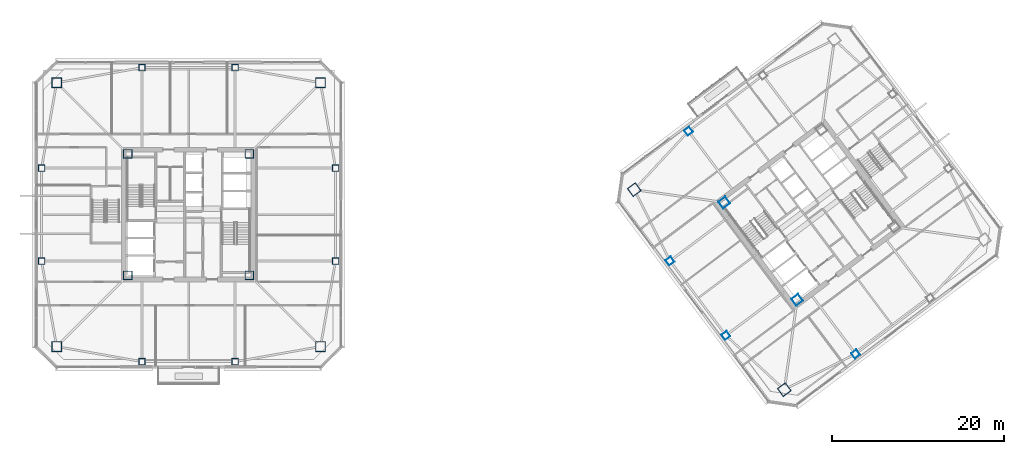
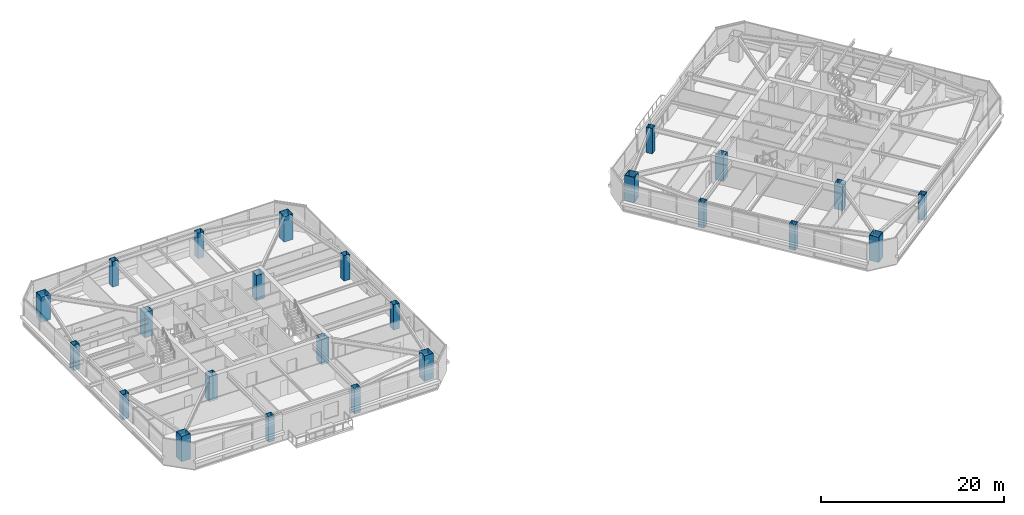
# One storey, part 1 of 44: 24 columns.
"""IFC4 building model written with IfcOpenShell, lengths in metres."""

import ifcopenshell
import ifcopenshell.guid

model = None  # the IFC model being written
_history = None  # IfcOwnerHistory: only IFC2X3 demands one
_inside = {}  # id of a spatial element -> (the spatial element, [elements in it])
_under = {}  # id of a project, library or spatial element -> (it, [spatial elements below it])
_declared = {}  # id of a project -> (the project, [libraries it declares])
_typed = {}  # id of a type object -> (the type object, [elements of that type])
_made_of = {}  # id of a material, layer set ... -> (it, [elements and type objects made of it])


def new_model(schema):
    """Start an empty IFC model of exactly this schema.

    Asked for "IFC4X3", IfcOpenShell would pick the latest addendum, in which some entities
    have other attributes; the version numbers below select the first issue.
    IFC2X3 requires an IfcOwnerHistory on every rooted entity: one is made here for all.
    """
    global model, _history
    if schema == "IFC4X3":
        model = ifcopenshell.file(schema_version=(4, 3, 0, 0))
    else:
        model = ifcopenshell.file(schema=schema)
    _inside.clear()
    _under.clear()
    _declared.clear()
    _typed.clear()
    _made_of.clear()
    _history = None
    if model.schema == "IFC2X3":
        org = make("IfcOrganization", Name="unknown")
        user = make(
            "IfcPersonAndOrganization",
            ThePerson=make("IfcPerson", FamilyName="unknown"),
            TheOrganization=org,
        )
        app = make(
            "IfcApplication",
            ApplicationDeveloper=org,
            Version="unknown",
            ApplicationFullName="unknown",
            ApplicationIdentifier="unknown",
        )
        _history = make(
            "IfcOwnerHistory",
            OwningUser=user,
            OwningApplication=app,
            ChangeAction="ADDED",
            CreationDate=0,
        )
    return model


def make(cls, **values):
    """One entity of the class cls with the attributes given. An attribute that is None is left unset."""
    return model.create_entity(
        cls, **{name: value for name, value in values.items() if value is not None}
    )


def rooted(cls, **values):
    """An entity with a GlobalId (a new one), such as an element, a storey or a relation."""
    return make(cls, GlobalId=ifcopenshell.guid.new(), OwnerHistory=_history, **values)


def si_unit(unit_type, name, prefix=None):
    """IfcSIUnit, for example si_unit("LENGTHUNIT", "METRE", prefix="MILLI")."""
    return make("IfcSIUnit", UnitType=unit_type, Prefix=prefix, Name=name)


def assignment(units):
    """IfcUnitAssignment: the units of a project."""
    return None if units is None else make("IfcUnitAssignment", Units=units)


def point(xyz):
    """IfcCartesianPoint."""
    return None if xyz is None else make("IfcCartesianPoint", Coordinates=xyz)


def direction(xyz):
    """IfcDirection."""
    return None if xyz is None else make("IfcDirection", DirectionRatios=xyz)


def frame(location, z_axis=None, x_axis=None):
    """IfcAxis2Placement3D, a coordinate frame: its origin and axes. An axis left out is left unset."""
    return make(
        "IfcAxis2Placement3D",
        Location=point(location),
        Axis=direction(z_axis),
        RefDirection=direction(x_axis),
    )


def frame_2d(location, x_axis=None):
    """IfcAxis2Placement2D, a coordinate frame in the plane: its origin and x axis."""
    return make(
        "IfcAxis2Placement2D", Location=point(location), RefDirection=direction(x_axis)
    )


def origin():
    """The frame at (0, 0, 0) with its axes left unset."""
    return frame((0.0, 0.0, 0.0))


def origin_2d():
    """The frame at (0, 0) in the plane with its x axis left unset."""
    return frame_2d((0.0, 0.0))


def place(relative_to, where):
    """IfcLocalPlacement: puts the frame where relative to a parent placement (None: the world)."""
    return make(
        "IfcLocalPlacement", PlacementRelTo=relative_to, RelativePlacement=where
    )


def context(
    kind, dimensions, precision=None, world=None, true_north=None, identifier=None
):
    """IfcGeometricRepresentationContext, for example the 3D "Model" context."""
    return make(
        "IfcGeometricRepresentationContext",
        ContextIdentifier=identifier,
        ContextType=kind,
        CoordinateSpaceDimension=dimensions,
        Precision=precision,
        WorldCoordinateSystem=world,
        TrueNorth=true_north,
    )


def subcontext(parent, identifier, kind, view, scale=None):
    """IfcGeometricRepresentationSubContext, for example "Body" below "Model"."""
    return make(
        "IfcGeometricRepresentationSubContext",
        ContextIdentifier=identifier,
        ContextType=kind,
        ParentContext=parent,
        TargetScale=scale,
        TargetView=view,
    )


def project(units=None, contexts=None):
    """IfcProject with its units and contexts."""
    return rooted(
        "IfcProject",
        Name="project",
        RepresentationContexts=contexts,
        UnitsInContext=assignment(units),
    )


def spatial(cls, under=None, at=None, **own):
    """A site, building, storey or space (cls), placed at a placement, below another one or the project."""
    s = rooted(cls, ObjectPlacement=at, **own)
    if under is not None:
        _under.setdefault(under.id(), (under, []))[1].append(s)
    return s


def profile(cls, at=None, kind="AREA", **sizes):
    """A parametric profile (cls). Its sizes go by their IFC names, for example OverallWidth=200.0."""
    return make(cls, ProfileType=kind, Position=at, **sizes)


def hollow_rectangle(**sizes):
    """IfcRectangleHollowProfileDef."""
    return profile("IfcRectangleHollowProfileDef", **sizes)


def extrude(swept, where, along, depth):
    """IfcExtrudedAreaSolid: the profile swept, set in the frame where, extruded along a direction by depth."""
    return make(
        "IfcExtrudedAreaSolid",
        SweptArea=swept,
        Position=where,
        ExtrudedDirection=direction(along),
        Depth=depth,
    )


def shape(context_of_items, identifier, shape_type, items):
    """IfcShapeRepresentation: the items that make up one representation, for example the "Body"."""
    return make(
        "IfcShapeRepresentation",
        ContextOfItems=context_of_items,
        RepresentationIdentifier=identifier,
        RepresentationType=shape_type,
        Items=items,
    )


def material(Name=None, Category=None):
    """IfcMaterial."""
    return make("IfcMaterial", Name=Name, Category=Category)


def material_profile(
    of_material, cross_section, Name=None, Category=None, Priority=None
):
    """IfcMaterialProfile: a cross section and its material."""
    return make(
        "IfcMaterialProfile",
        Name=Name,
        Material=of_material,
        Profile=cross_section,
        Priority=Priority,
        Category=Category,
    )


def profile_set(profiles, Name=None, composite=None):
    """IfcMaterialProfileSet."""
    return make(
        "IfcMaterialProfileSet",
        Name=Name,
        MaterialProfiles=profiles,
        CompositeProfile=composite,
    )


def made_of(thing, what):
    """Note that an element or type object is made of a material, layer set ...; save() writes the relation."""
    if what is not None:
        _made_of.setdefault(what.id(), (what, []))[1].append(thing)
    return thing


def type_object(cls, material=None, **own):
    """A type object (cls), such as IfcWallType, which elements share."""
    return made_of(rooted(cls, **own), material)


def element(
    cls,
    number,
    at=None,
    inside=None,
    cuts=None,
    type_object=None,
    material=None,
    context=None,
    identifier="Body",
    shape_type=None,
    held_by="IfcProductDefinitionShape",
    body=None,
    shapes=None,
    **own,
):
    """One element of the class cls, such as IfcWall. Its Tag is "e" and its number.

    at: its placement. inside: the storey or other place that contains it. cuts: it is an
    opening in that element (IfcRelVoidsElement). A single representation is given by context,
    identifier, shape_type and body (its items); several are given by shapes. held_by: the class
    of the entity that holds the representations. save() writes the other relations.
    """
    e = rooted(cls, Tag="e%d" % number, ObjectPlacement=at, **own)
    if body is not None:
        shapes = [shape(context, identifier, shape_type, body)]
    if shapes is not None:
        e.Representation = make(held_by, Representations=shapes)
    if inside is not None:
        _inside.setdefault(inside.id(), (inside, []))[1].append(e)
    if cuts is not None:
        rooted(
            "IfcRelVoidsElement", RelatingBuildingElement=cuts, RelatedOpeningElement=e
        )
    if type_object is not None:
        _typed.setdefault(type_object.id(), (type_object, []))[1].append(e)
    return made_of(e, material)


def aggregate(whole, parts):
    """IfcRelAggregates: a whole, such as a stair, and the parts it consists of."""
    return rooted("IfcRelAggregates", RelatingObject=whole, RelatedObjects=parts)


def save(model, path):
    """Write the relations noted so far, then the file.

    IfcRelAggregates (storeys below a building ...), IfcRelContainedInSpatialStructure (elements
    in a storey), IfcRelDefinesByType, IfcRelAssociatesMaterial and IfcRelDeclares: one each for
    every whole, place, type object, material and project.
    """
    for whole, parts in _under.values():
        aggregate(whole, parts)
    for where, things in _inside.values():
        rooted(
            "IfcRelContainedInSpatialStructure",
            RelatedElements=things,
            RelatingStructure=where,
        )
    for kind, things in _typed.values():
        rooted("IfcRelDefinesByType", RelatedObjects=things, RelatingType=kind)
    for what, things in _made_of.values():
        rooted("IfcRelAssociatesMaterial", RelatedObjects=things, RelatingMaterial=what)
    for by, libraries in _declared.values():
        rooted("IfcRelDeclares", RelatingContext=by, RelatedDefinitions=libraries)
    model.write(path)


model = new_model("IFC4")

# Units and contexts
model_context = context("Model", 3, precision=1e-05, world=origin(), true_north=direction((0.0, 1.0)))
body_context = subcontext(model_context, "Body", "Model", "MODEL_VIEW")
ifc_project = project(units=[si_unit("LENGTHUNIT", "METRE"), si_unit("AREAUNIT", "SQUARE_METRE"), si_unit("VOLUMEUNIT", "CUBIC_METRE"), si_unit("PLANEANGLEUNIT", "RADIAN"), si_unit("MASSUNIT", "GRAM", prefix="KILO")], contexts=[model_context])

# Site, building, storey
site_placement = place(None, origin())
site = spatial("IfcSite", under=ifc_project, at=site_placement, CompositionType="ELEMENT")
building_placement = place(site_placement, origin())
building = spatial("IfcBuilding", under=site, at=building_placement, Name="Tashvorn Skyway Center", CompositionType="ELEMENT")
storey_placement = place(building_placement, frame((0.0, 0.0, 181.85009765625)))
storey = spatial("IfcBuildingStorey", under=building, at=storey_placement, Name="L49", CompositionType="ELEMENT", Elevation=181.85009765625)

# Columns
ifc_material = material(Name="Steel ASTM A572 Grade 50", Category="steel")
ifc_material_profile_1 = material_profile(ifc_material, hollow_rectangle(XDim=1.0, YDim=1.0, WallThickness=0.0400390625, at=origin_2d()), Name="BOX1000x1000x40")
ifc_profile_set_1 = profile_set([ifc_material_profile_1], Name="Steel ASTM A572 Grade 50")
column_type_1 = type_object("IfcColumnType", Name="COL-BOX1000x1000x40", PredefinedType="COLUMN", material=ifc_profile_set_1)
for number, where, z_axis, x_axis, name in (
    (1, (34.949951171875, 24.949951171875, 0.0), (0.0, 0.0, 1.0), (1.0, 0.0, 0.0), "Tower 1 L49 Core Corner Column CC-SW"),
    (2, (49.050048828125, 24.949951171875, 0.0), (0.0, 0.0, 1.0), (1.0, 0.0, 0.0), "Tower 1 L49 Core Corner Column CC-SE"),
    (3, (49.050048828125, 39.050048828125, 0.0), (0.0, 0.0, 1.0), (1.0, 0.0, 0.0), "Tower 1 L49 Core Corner Column CC-NE"),
    (4, (34.949951171875, 39.050048828125, 0.0), (0.0, 0.0, 1.0), (1.0, 0.0, 0.0), "Tower 1 L49 Core Corner Column CC-NW"),
    (5, (112.590087890625, 22.1298828125, 0.0), (0.0, 0.0, 1.0), (0.799999996291, 0.600000004945, 0.0), "Tower 2 L49 Core Corner Column CC-SW"),
    (6, (104.1298828125, 33.409912109375, 0.0), (0.0, 0.0, 1.0), (0.799999996291, 0.600000004945, 0.0), "Tower 2 L49 Core Corner Column CC-NW"),
):
    element("IfcColumn", number, at=place(storey_placement, frame(where, z_axis=z_axis, x_axis=x_axis)), inside=storey, type_object=column_type_1, Name=name, PredefinedType="COLUMN", context=body_context, shape_type="SweptSolid", body=[
        extrude(hollow_rectangle(XDim=1.0, YDim=1.0, WallThickness=0.0400390625, at=origin_2d()), origin(), (0.0, 0.0, 1.0), 3.369873046875),
    ])
ifc_material_profile_2 = material_profile(ifc_material, hollow_rectangle(XDim=1.14990234375, YDim=1.14990234375, WallThickness=0.044921875, at=origin_2d()), Name="BOX1150x1150x45")
ifc_profile_set_2 = profile_set([ifc_material_profile_2], Name="Steel ASTM A572 Grade 50")
column_type_2 = type_object("IfcColumnType", Name="COL-BOX1150x1150x45", PredefinedType="COLUMN", material=ifc_profile_set_2)
for number, where, z_axis, x_axis, name in (
    (7, (26.699951171875, 16.699951171875, 0.0), (0.0, 0.0, 1.0), (1.0, 0.0, 0.0), "Tower 1 L49 Mega-Column MC-SW"),
    (8, (57.300048828125, 16.699951171875, 0.0), (0.0, 0.0, 1.0), (1.0, 0.0, 0.0), "Tower 1 L49 Mega-Column MC-SE"),
    (9, (57.300048828125, 47.300048828125, 0.0), (0.0, 0.0, 1.0), (1.0, 0.0, 0.0), "Tower 1 L49 Mega-Column MC-NE"),
    (10, (26.699951171875, 47.300048828125, 0.0), (0.0, 0.0, 1.0), (1.0, 0.0, 0.0), "Tower 1 L49 Mega-Column MC-NW"),
    (11, (111.10009765625, 11.699951171875, 0.0), (0.0, 0.0, 1.0), (0.799999996291, 0.600000004945, 0.0), "Tower 2 L49 Mega-Column MC-SW"),
    (12, (93.699951171875, 34.89990234375, 0.0), (0.0, 0.0, 1.0), (0.799999996291, 0.600000004945, 0.0), "Tower 2 L49 Mega-Column MC-NW"),
):
    element("IfcColumn", number, at=place(storey_placement, frame(where, z_axis=z_axis, x_axis=x_axis)), inside=storey, type_object=column_type_2, Name=name, PredefinedType="COLUMN", context=body_context, shape_type="SweptSolid", body=[
        extrude(hollow_rectangle(XDim=1.14990234375, YDim=1.14990234375, WallThickness=0.044921875, at=origin_2d()), origin(), (0.0, 0.0, 1.0), 3.369873046875),
    ])
ifc_material_profile_3 = material_profile(ifc_material, hollow_rectangle(XDim=0.75, YDim=0.75, WallThickness=0.031982421875, at=origin_2d()), Name="BOX750x750x32")
ifc_profile_set_3 = profile_set([ifc_material_profile_3], Name="Steel ASTM A572 Grade 50")
column_type_3 = type_object("IfcColumnType", Name="COL-BOX750x750x32", PredefinedType="COLUMN", material=ifc_profile_set_3)
for number, where, z_axis, x_axis, name in (
    (13, (36.60009765625, 14.949951171875, 0.0), (0.0, 0.0, 1.0), (1.0, 0.0, 0.0), "Tower 1 L49 Perimeter Column FC-S1"),
    (14, (47.39990234375, 14.949951171875, 0.0), (0.0, 0.0, 1.0), (1.0, 0.0, 0.0), "Tower 1 L49 Perimeter Column FC-S2"),
    (15, (59.050048828125, 26.60009765625, 0.0), (0.0, 0.0, 1.0), (1.0, 0.0, 0.0), "Tower 1 L49 Perimeter Column FC-E1"),
    (16, (59.050048828125, 37.39990234375, 0.0), (0.0, 0.0, 1.0), (1.0, 0.0, 0.0), "Tower 1 L49 Perimeter Column FC-E2"),
    (17, (47.39990234375, 49.050048828125, 0.0), (0.0, 0.0, 1.0), (1.0, 0.0, 0.0), "Tower 1 L49 Perimeter Column FC-N1"),
    (18, (36.60009765625, 49.050048828125, 0.0), (0.0, 0.0, 1.0), (1.0, 0.0, 0.0), "Tower 1 L49 Perimeter Column FC-N2"),
    (19, (24.949951171875, 37.39990234375, 0.0), (0.0, 0.0, 1.0), (1.0, 0.0, 0.0), "Tower 1 L49 Perimeter Column FC-W1"),
    (20, (24.949951171875, 26.60009765625, 0.0), (0.0, 0.0, 1.0), (1.0, 0.0, 0.0), "Tower 1 L49 Perimeter Column FC-W2"),
    (21, (119.3701171875, 15.840087890625, 0.0), (0.0, 0.0, 1.0), (0.799999996291, 0.600000004945, 0.0), "Tower 2 L49 Perimeter Column FC-S1"),
    (22, (99.989990234375, 41.679931640625, 0.0), (0.0, 0.0, 1.0), (0.799999996291, 0.600000004945, 0.0), "Tower 2 L49 Perimeter Column FC-N2"),
    (23, (97.840087890625, 26.6298828125, 0.0), (0.0, 0.0, 1.0), (0.799999996291, 0.600000004945, 0.0), "Tower 2 L49 Perimeter Column FC-W1"),
    (24, (104.320068359375, 17.989990234375, 0.0), (0.0, 0.0, 1.0), (0.799999996291, 0.600000004945, 0.0), "Tower 2 L49 Perimeter Column FC-W2"),
):
    element("IfcColumn", number, at=place(storey_placement, frame(where, z_axis=z_axis, x_axis=x_axis)), inside=storey, type_object=column_type_3, Name=name, PredefinedType="COLUMN", context=body_context, shape_type="SweptSolid", body=[
        extrude(hollow_rectangle(XDim=0.75, YDim=0.75, WallThickness=0.031982421875, at=origin_2d()), origin(), (0.0, 0.0, 1.0), 3.369873046875),
    ])

save(model, "model.ifc")
